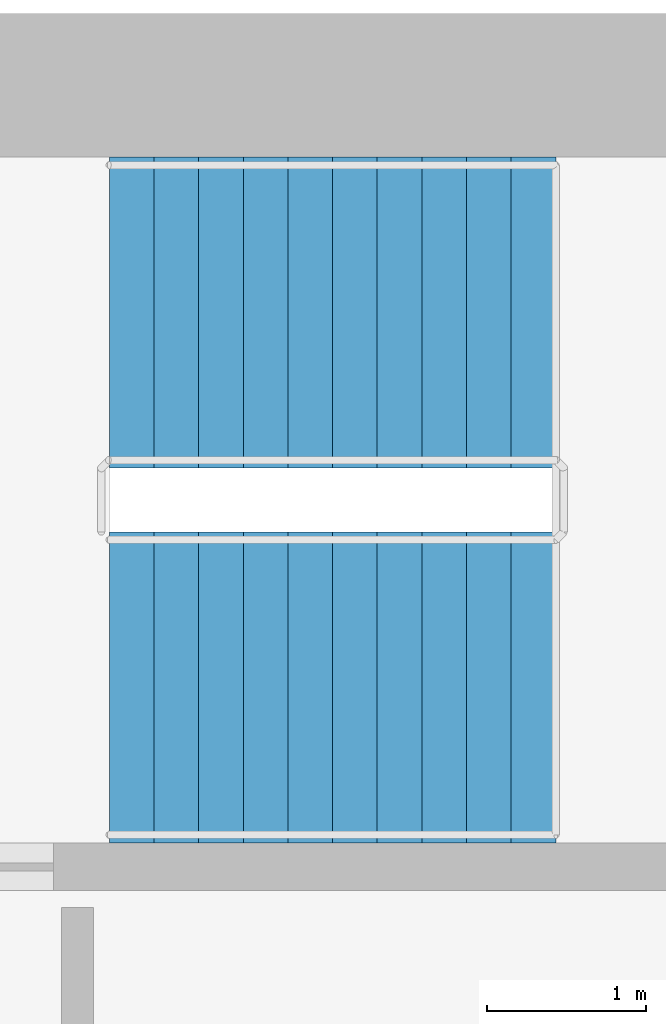
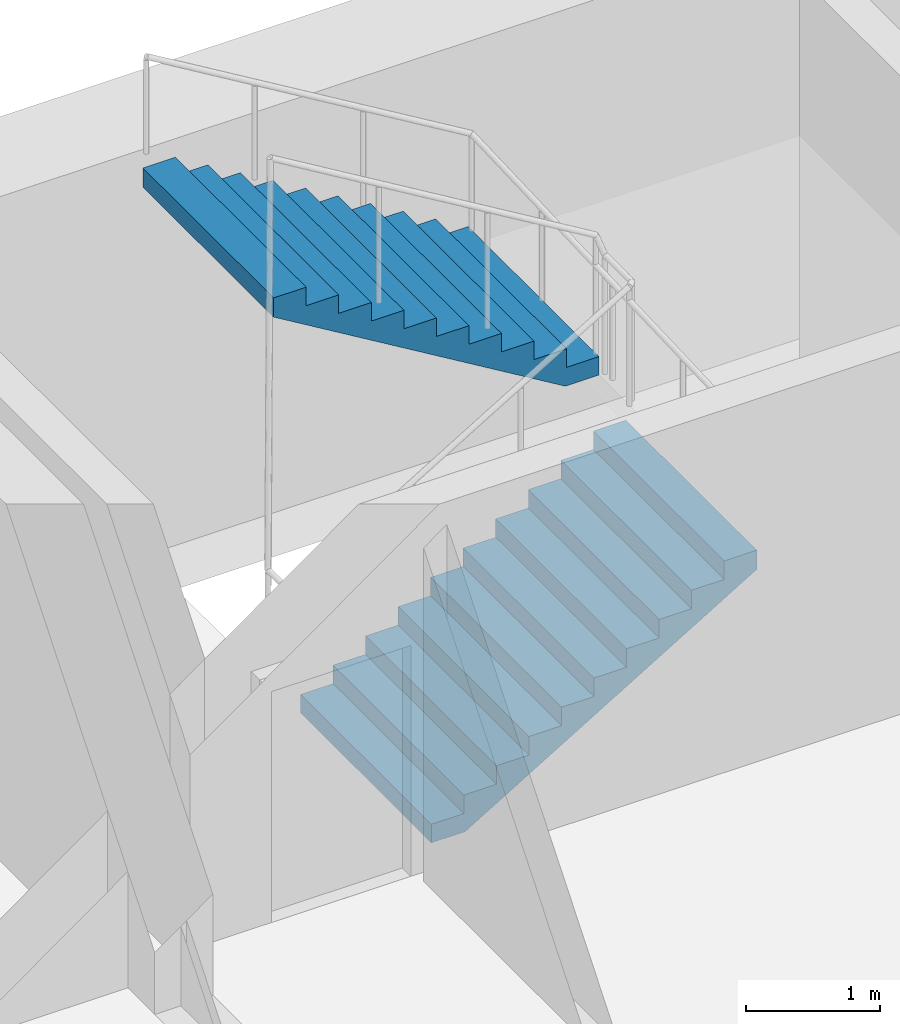
# One storey, part 15 of 19: 2 stair flights, 1 element without a shape of its own.
"""IFC4 building model written with IfcOpenShell, lengths in metres."""

import ifcopenshell
import ifcopenshell.guid

model = None  # the IFC model being written
_history = None  # IfcOwnerHistory: only IFC2X3 demands one
_inside = {}  # id of a spatial element -> (the spatial element, [elements in it])
_under = {}  # id of a project, library or spatial element -> (it, [spatial elements below it])
_declared = {}  # id of a project -> (the project, [libraries it declares])
_typed = {}  # id of a type object -> (the type object, [elements of that type])
_made_of = {}  # id of a material, layer set ... -> (it, [elements and type objects made of it])


def new_model(schema):
    """Start an empty IFC model of exactly this schema.

    Asked for "IFC4X3", IfcOpenShell would pick the latest addendum, in which some entities
    have other attributes; the version numbers below select the first issue.
    IFC2X3 requires an IfcOwnerHistory on every rooted entity: one is made here for all.
    """
    global model, _history
    if schema == "IFC4X3":
        model = ifcopenshell.file(schema_version=(4, 3, 0, 0))
    else:
        model = ifcopenshell.file(schema=schema)
    _inside.clear()
    _under.clear()
    _declared.clear()
    _typed.clear()
    _made_of.clear()
    _history = None
    if model.schema == "IFC2X3":
        org = make("IfcOrganization", Name="unknown")
        user = make(
            "IfcPersonAndOrganization",
            ThePerson=make("IfcPerson", FamilyName="unknown"),
            TheOrganization=org,
        )
        app = make(
            "IfcApplication",
            ApplicationDeveloper=org,
            Version="unknown",
            ApplicationFullName="unknown",
            ApplicationIdentifier="unknown",
        )
        _history = make(
            "IfcOwnerHistory",
            OwningUser=user,
            OwningApplication=app,
            ChangeAction="ADDED",
            CreationDate=0,
        )
    return model


def make(cls, **values):
    """One entity of the class cls with the attributes given. An attribute that is None is left unset."""
    return model.create_entity(
        cls, **{name: value for name, value in values.items() if value is not None}
    )


def rooted(cls, **values):
    """An entity with a GlobalId (a new one), such as an element, a storey or a relation."""
    return make(cls, GlobalId=ifcopenshell.guid.new(), OwnerHistory=_history, **values)


def si_unit(unit_type, name, prefix=None):
    """IfcSIUnit, for example si_unit("LENGTHUNIT", "METRE", prefix="MILLI")."""
    return make("IfcSIUnit", UnitType=unit_type, Prefix=prefix, Name=name)


def assignment(units):
    """IfcUnitAssignment: the units of a project."""
    return None if units is None else make("IfcUnitAssignment", Units=units)


def point(xyz):
    """IfcCartesianPoint."""
    return None if xyz is None else make("IfcCartesianPoint", Coordinates=xyz)


def direction(xyz):
    """IfcDirection."""
    return None if xyz is None else make("IfcDirection", DirectionRatios=xyz)


def frame(location, z_axis=None, x_axis=None):
    """IfcAxis2Placement3D, a coordinate frame: its origin and axes. An axis left out is left unset."""
    return make(
        "IfcAxis2Placement3D",
        Location=point(location),
        Axis=direction(z_axis),
        RefDirection=direction(x_axis),
    )


def origin():
    """The frame at (0, 0, 0) with its axes left unset."""
    return frame((0.0, 0.0, 0.0))


def place(relative_to, where):
    """IfcLocalPlacement: puts the frame where relative to a parent placement (None: the world)."""
    return make(
        "IfcLocalPlacement", PlacementRelTo=relative_to, RelativePlacement=where
    )


def context(
    kind, dimensions, precision=None, world=None, true_north=None, identifier=None
):
    """IfcGeometricRepresentationContext, for example the 3D "Model" context."""
    return make(
        "IfcGeometricRepresentationContext",
        ContextIdentifier=identifier,
        ContextType=kind,
        CoordinateSpaceDimension=dimensions,
        Precision=precision,
        WorldCoordinateSystem=world,
        TrueNorth=true_north,
    )


def subcontext(parent, identifier, kind, view, scale=None):
    """IfcGeometricRepresentationSubContext, for example "Body" below "Model"."""
    return make(
        "IfcGeometricRepresentationSubContext",
        ContextIdentifier=identifier,
        ContextType=kind,
        ParentContext=parent,
        TargetScale=scale,
        TargetView=view,
    )


def project(units=None, contexts=None):
    """IfcProject with its units and contexts."""
    return rooted(
        "IfcProject",
        Name="project",
        RepresentationContexts=contexts,
        UnitsInContext=assignment(units),
    )


def spatial(cls, under=None, at=None, **own):
    """A site, building, storey or space (cls), placed at a placement, below another one or the project."""
    s = rooted(cls, ObjectPlacement=at, **own)
    if under is not None:
        _under.setdefault(under.id(), (under, []))[1].append(s)
    return s


def polyline(points):
    """IfcPolyline through the points."""
    return make("IfcPolyline", Points=[point(p) for p in points])


def outline(outer, holes=None, kind="AREA"):
    """IfcArbitraryClosedProfileDef: a profile drawn as a closed curve; with holes, ...WithVoids."""
    if holes is None:
        return make("IfcArbitraryClosedProfileDef", ProfileType=kind, OuterCurve=outer)
    return make(
        "IfcArbitraryProfileDefWithVoids",
        ProfileType=kind,
        OuterCurve=outer,
        InnerCurves=holes,
    )


def extrude(swept, where, along, depth):
    """IfcExtrudedAreaSolid: the profile swept, set in the frame where, extruded along a direction by depth."""
    return make(
        "IfcExtrudedAreaSolid",
        SweptArea=swept,
        Position=where,
        ExtrudedDirection=direction(along),
        Depth=depth,
    )


def shape(context_of_items, identifier, shape_type, items):
    """IfcShapeRepresentation: the items that make up one representation, for example the "Body"."""
    return make(
        "IfcShapeRepresentation",
        ContextOfItems=context_of_items,
        RepresentationIdentifier=identifier,
        RepresentationType=shape_type,
        Items=items,
    )


def material(Name=None, Category=None):
    """IfcMaterial."""
    return make("IfcMaterial", Name=Name, Category=Category)


def made_of(thing, what):
    """Note that an element or type object is made of a material, layer set ...; save() writes the relation."""
    if what is not None:
        _made_of.setdefault(what.id(), (what, []))[1].append(thing)
    return thing


def type_object(cls, material=None, **own):
    """A type object (cls), such as IfcWallType, which elements share."""
    return made_of(rooted(cls, **own), material)


def element(
    cls,
    number,
    at=None,
    inside=None,
    cuts=None,
    type_object=None,
    material=None,
    context=None,
    identifier="Body",
    shape_type=None,
    held_by="IfcProductDefinitionShape",
    body=None,
    shapes=None,
    **own,
):
    """One element of the class cls, such as IfcWall. Its Tag is "e" and its number.

    at: its placement. inside: the storey or other place that contains it. cuts: it is an
    opening in that element (IfcRelVoidsElement). A single representation is given by context,
    identifier, shape_type and body (its items); several are given by shapes. held_by: the class
    of the entity that holds the representations. save() writes the other relations.
    """
    e = rooted(cls, Tag="e%d" % number, ObjectPlacement=at, **own)
    if body is not None:
        shapes = [shape(context, identifier, shape_type, body)]
    if shapes is not None:
        e.Representation = make(held_by, Representations=shapes)
    if inside is not None:
        _inside.setdefault(inside.id(), (inside, []))[1].append(e)
    if cuts is not None:
        rooted(
            "IfcRelVoidsElement", RelatingBuildingElement=cuts, RelatedOpeningElement=e
        )
    if type_object is not None:
        _typed.setdefault(type_object.id(), (type_object, []))[1].append(e)
    return made_of(e, material)


def aggregate(whole, parts):
    """IfcRelAggregates: a whole, such as a stair, and the parts it consists of."""
    return rooted("IfcRelAggregates", RelatingObject=whole, RelatedObjects=parts)


def save(model, path):
    """Write the relations noted so far, then the file.

    IfcRelAggregates (storeys below a building ...), IfcRelContainedInSpatialStructure (elements
    in a storey), IfcRelDefinesByType, IfcRelAssociatesMaterial and IfcRelDeclares: one each for
    every whole, place, type object, material and project.
    """
    for whole, parts in _under.values():
        aggregate(whole, parts)
    for where, things in _inside.values():
        rooted(
            "IfcRelContainedInSpatialStructure",
            RelatedElements=things,
            RelatingStructure=where,
        )
    for kind, things in _typed.values():
        rooted("IfcRelDefinesByType", RelatedObjects=things, RelatingType=kind)
    for what, things in _made_of.values():
        rooted("IfcRelAssociatesMaterial", RelatedObjects=things, RelatingMaterial=what)
    for by, libraries in _declared.values():
        rooted("IfcRelDeclares", RelatingContext=by, RelatedDefinitions=libraries)
    model.write(path)


model = new_model("IFC4")

# Units and contexts
model_context = context("Model", 3, precision=1e-05, world=origin(), true_north=direction((0.0, 1.0)))
body_context = subcontext(model_context, "Body", "Model", "MODEL_VIEW")
ifc_project = project(units=[si_unit("LENGTHUNIT", "METRE"), si_unit("AREAUNIT", "SQUARE_METRE"), si_unit("VOLUMEUNIT", "CUBIC_METRE"), si_unit("PLANEANGLEUNIT", "RADIAN"), si_unit("MASSUNIT", "GRAM", prefix="KILO")], contexts=[model_context])

# Site, building, storey
site_placement = place(None, origin())
site = spatial("IfcSite", under=ifc_project, at=site_placement, CompositionType="ELEMENT")
building_placement = place(site_placement, origin())
building = spatial("IfcBuilding", under=site, at=building_placement, Name="Hunhe Ridgeline Campus", CompositionType="ELEMENT")
storey_placement = place(building_placement, frame((0.0, 0.0, 216.10009765625)))
storey = spatial("IfcBuildingStorey", under=building, at=storey_placement, Name="L55", CompositionType="ELEMENT", Elevation=216.10009765625)

# Stair, stair flights
ifc_material = material(Name="Concrete C40", Category="concrete")
stair_type = type_object("IfcStairType", Name="Reinforced concrete dog-leg stair 1950 Concrete C40", PredefinedType="HALF_TURN_STAIR", material=ifc_material)
stair_placement = place(storey_placement, origin())
stair = element("IfcStair", 1, at=stair_placement, inside=storey, type_object=stair_type, Name="L55 E1", PredefinedType="HALF_TURN_STAIR")
stair_flight_type = type_object("IfcStairFlightType", Name="Reinforced concrete stair flight 1950 Concrete C40", PredefinedType="STRAIGHT", material=ifc_material)
stair_flight_1_placement = place(storey_placement, frame((38.39990234375, 94.77490234375, 0.0), z_axis=(0.0, 0.0, 1.0), x_axis=(1.0, 0.0, 0.0)))
stair_flight_1 = element("IfcStairFlight", 2, at=stair_flight_1_placement, type_object=stair_flight_type, Name="ST5 flight 1", NumberOfRisers=11, NumberOfTreads=10, PredefinedType="STRAIGHT", RiserHeight=0.168181818, TreadLength=0.28, context=body_context, shape_type="SweptSolid", body=[
    extrude(outline(polyline([(0.0, 0.0), (0.0, 0.168212890625), (0.280029296875, 0.168212890625), (0.280029296875, 0.33642578125), (0.56005859375, 0.33642578125), (0.56005859375, 0.504638671875), (0.840087890625, 0.504638671875), (0.840087890625, 0.672607421875), (1.1201171875, 0.672607421875), (1.1201171875, 0.8408203125), (1.39990234375, 0.8408203125), (1.39990234375, 1.009033203125), (1.679931640625, 1.009033203125), (1.679931640625, 1.17724609375), (1.9599609375, 1.17724609375), (1.9599609375, 1.345458984375), (2.239990234375, 1.345458984375), (2.239990234375, 1.513671875), (2.52001953125, 1.513671875), (2.52001953125, 1.681884765625), (2.800048828125, 1.681884765625), (2.800048828125, 1.85009765625), (2.800048828125, 1.5068359375), (0.291015625, 0.0), (0.0, 0.0)])), frame((0.0, 0.97509765625, 0.0), z_axis=(0.0, -1.0, 0.0), x_axis=(1.0, 0.0, 0.0)), (0.0, 0.0, 1.0), 1.949951171875),
    extrude(outline(polyline([(0.030029296875, 0.030029296875), (0.030029296875, 0.13818359375), (0.31005859375, 0.13818359375), (0.31005859375, 0.306396484375), (0.590087890625, 0.306396484375), (0.590087890625, 0.474609375), (0.8701171875, 0.474609375), (0.8701171875, 0.642578125), (1.14990234375, 0.642578125), (1.14990234375, 0.810791015625), (1.429931640625, 0.810791015625), (1.429931640625, 0.97900390625), (1.7099609375, 0.97900390625), (1.7099609375, 1.147216796875), (1.989990234375, 1.147216796875), (1.989990234375, 1.3154296875), (2.27001953125, 1.3154296875), (2.27001953125, 1.483642578125), (2.550048828125, 1.483642578125), (2.550048828125, 1.65185546875), (2.77001953125, 1.65185546875), (2.77001953125, 1.52392578125), (0.28271484375, 0.030029296875), (0.030029296875, 0.030029296875)])), frame((0.0, -0.070068359375, 0.0), z_axis=(0.0, -1.0, 0.0), x_axis=(1.0, 0.0, 0.0)), (0.0, 0.0, 1.0), 0.019775390625),
    extrude(outline(polyline([(0.030029296875, 0.030029296875), (0.030029296875, 0.13818359375), (0.31005859375, 0.13818359375), (0.31005859375, 0.306396484375), (0.590087890625, 0.306396484375), (0.590087890625, 0.474609375), (0.8701171875, 0.474609375), (0.8701171875, 0.642578125), (1.14990234375, 0.642578125), (1.14990234375, 0.810791015625), (1.429931640625, 0.810791015625), (1.429931640625, 0.97900390625), (1.7099609375, 0.97900390625), (1.7099609375, 1.147216796875), (1.989990234375, 1.147216796875), (1.989990234375, 1.3154296875), (2.27001953125, 1.3154296875), (2.27001953125, 1.483642578125), (2.550048828125, 1.483642578125), (2.550048828125, 1.65185546875), (2.77001953125, 1.65185546875), (2.77001953125, 1.52392578125), (0.28271484375, 0.030029296875), (0.030029296875, 0.030029296875)])), frame((0.0, 0.010009765625, 0.0), z_axis=(0.0, -1.0, 0.0), x_axis=(1.0, 0.0, 0.0)), (0.0, 0.0, 1.0), 0.019775390625),
    extrude(outline(polyline([(0.030029296875, 0.030029296875), (0.030029296875, 0.13818359375), (0.31005859375, 0.13818359375), (0.31005859375, 0.306396484375), (0.590087890625, 0.306396484375), (0.590087890625, 0.474609375), (0.8701171875, 0.474609375), (0.8701171875, 0.642578125), (1.14990234375, 0.642578125), (1.14990234375, 0.810791015625), (1.429931640625, 0.810791015625), (1.429931640625, 0.97900390625), (1.7099609375, 0.97900390625), (1.7099609375, 1.147216796875), (1.989990234375, 1.147216796875), (1.989990234375, 1.3154296875), (2.27001953125, 1.3154296875), (2.27001953125, 1.483642578125), (2.550048828125, 1.483642578125), (2.550048828125, 1.65185546875), (2.77001953125, 1.65185546875), (2.77001953125, 1.52392578125), (0.28271484375, 0.030029296875), (0.030029296875, 0.030029296875)])), frame((0.0, 0.090087890625, 0.0), z_axis=(0.0, -1.0, 0.0), x_axis=(1.0, 0.0, 0.0)), (0.0, 0.0, 1.0), 0.019775390625),
])
stair_flight_2_placement = place(storey_placement, frame((41.199951171875, 97.125, 1.849853515625), z_axis=(0.0, 0.0, 1.0), x_axis=(-1.0, 0.0, 0.0)))
stair_flight_2 = element("IfcStairFlight", 3, at=stair_flight_2_placement, type_object=stair_flight_type, Name="ST5 flight 2", NumberOfRisers=11, NumberOfTreads=10, PredefinedType="STRAIGHT", RiserHeight=0.168181818, TreadLength=0.28, context=body_context, shape_type="SweptSolid", body=[
    extrude(outline(polyline([(0.0, 0.0), (0.0, 0.168212890625), (0.280029296875, 0.168212890625), (0.280029296875, 0.33642578125), (0.56005859375, 0.33642578125), (0.56005859375, 0.504638671875), (0.840087890625, 0.504638671875), (0.840087890625, 0.672607421875), (1.1201171875, 0.672607421875), (1.1201171875, 0.8408203125), (1.39990234375, 0.8408203125), (1.39990234375, 1.009033203125), (1.679931640625, 1.009033203125), (1.679931640625, 1.17724609375), (1.9599609375, 1.17724609375), (1.9599609375, 1.345458984375), (2.239990234375, 1.345458984375), (2.239990234375, 1.513671875), (2.52001953125, 1.513671875), (2.52001953125, 1.681884765625), (2.800048828125, 1.681884765625), (2.800048828125, 1.85009765625), (2.800048828125, 1.5068359375), (0.291015625, 0.0), (0.0, 0.0)])), frame((0.0, 0.97509765625, 0.0), z_axis=(0.0, -1.0, 0.0), x_axis=(1.0, 0.0, 0.0)), (0.0, 0.0, 1.0), 1.949951171875),
    extrude(outline(polyline([(0.030029296875, 0.030029296875), (0.030029296875, 0.13818359375), (0.31005859375, 0.13818359375), (0.31005859375, 0.306396484375), (0.590087890625, 0.306396484375), (0.590087890625, 0.474609375), (0.8701171875, 0.474609375), (0.8701171875, 0.642578125), (1.14990234375, 0.642578125), (1.14990234375, 0.810791015625), (1.429931640625, 0.810791015625), (1.429931640625, 0.97900390625), (1.7099609375, 0.97900390625), (1.7099609375, 1.147216796875), (1.989990234375, 1.147216796875), (1.989990234375, 1.3154296875), (2.27001953125, 1.3154296875), (2.27001953125, 1.483642578125), (2.550048828125, 1.483642578125), (2.550048828125, 1.65185546875), (2.77001953125, 1.65185546875), (2.77001953125, 1.52392578125), (0.28271484375, 0.030029296875), (0.030029296875, 0.030029296875)])), frame((0.0, -0.070068359375, 0.0), z_axis=(0.0, -1.0, 0.0), x_axis=(1.0, 0.0, 0.0)), (0.0, 0.0, 1.0), 0.019775390625),
    extrude(outline(polyline([(0.030029296875, 0.030029296875), (0.030029296875, 0.13818359375), (0.31005859375, 0.13818359375), (0.31005859375, 0.306396484375), (0.590087890625, 0.306396484375), (0.590087890625, 0.474609375), (0.8701171875, 0.474609375), (0.8701171875, 0.642578125), (1.14990234375, 0.642578125), (1.14990234375, 0.810791015625), (1.429931640625, 0.810791015625), (1.429931640625, 0.97900390625), (1.7099609375, 0.97900390625), (1.7099609375, 1.147216796875), (1.989990234375, 1.147216796875), (1.989990234375, 1.3154296875), (2.27001953125, 1.3154296875), (2.27001953125, 1.483642578125), (2.550048828125, 1.483642578125), (2.550048828125, 1.65185546875), (2.77001953125, 1.65185546875), (2.77001953125, 1.52392578125), (0.28271484375, 0.030029296875), (0.030029296875, 0.030029296875)])), frame((0.0, 0.010009765625, 0.0), z_axis=(0.0, -1.0, 0.0), x_axis=(1.0, 0.0, 0.0)), (0.0, 0.0, 1.0), 0.019775390625),
    extrude(outline(polyline([(0.030029296875, 0.030029296875), (0.030029296875, 0.13818359375), (0.31005859375, 0.13818359375), (0.31005859375, 0.306396484375), (0.590087890625, 0.306396484375), (0.590087890625, 0.474609375), (0.8701171875, 0.474609375), (0.8701171875, 0.642578125), (1.14990234375, 0.642578125), (1.14990234375, 0.810791015625), (1.429931640625, 0.810791015625), (1.429931640625, 0.97900390625), (1.7099609375, 0.97900390625), (1.7099609375, 1.147216796875), (1.989990234375, 1.147216796875), (1.989990234375, 1.3154296875), (2.27001953125, 1.3154296875), (2.27001953125, 1.483642578125), (2.550048828125, 1.483642578125), (2.550048828125, 1.65185546875), (2.77001953125, 1.65185546875), (2.77001953125, 1.52392578125), (0.28271484375, 0.030029296875), (0.030029296875, 0.030029296875)])), frame((0.0, 0.090087890625, 0.0), z_axis=(0.0, -1.0, 0.0), x_axis=(1.0, 0.0, 0.0)), (0.0, 0.0, 1.0), 0.019775390625),
])
aggregate(stair, [stair_flight_1, stair_flight_2])

save(model, "model.ifc")
